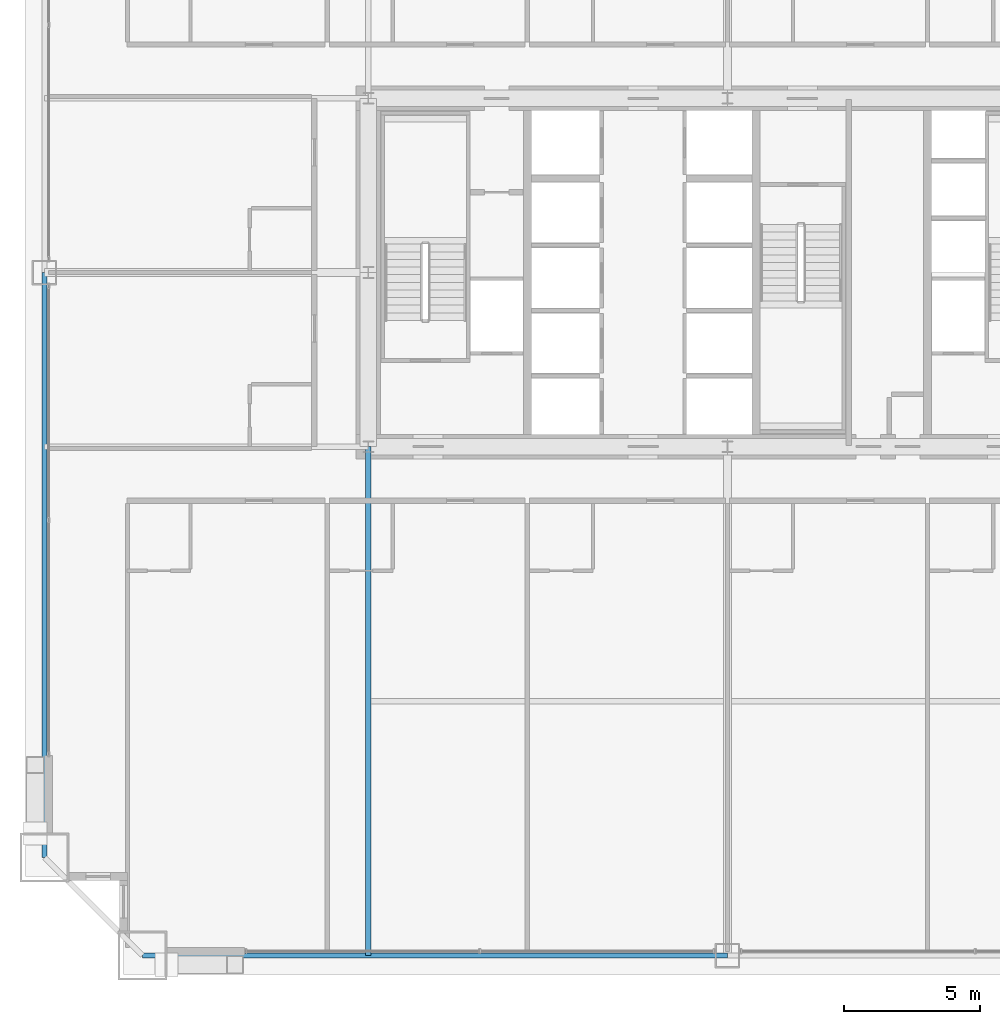
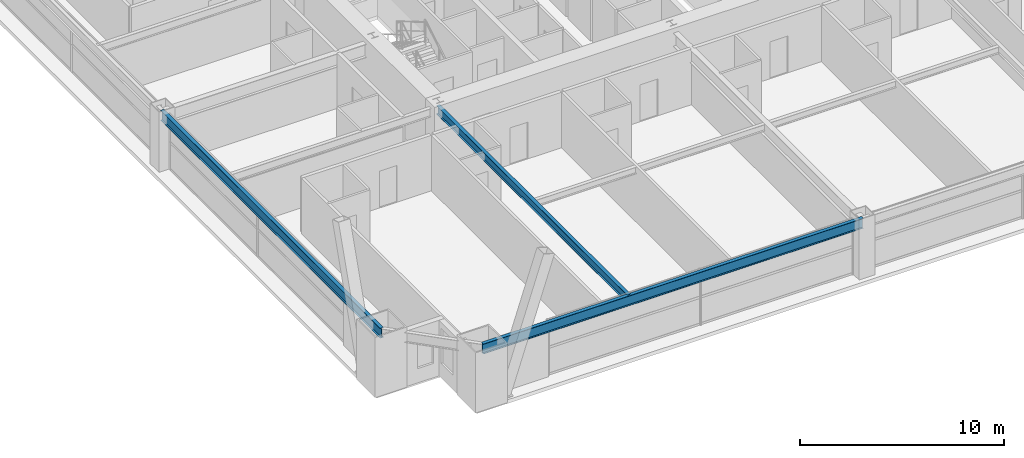
# One storey, part 4 of 43: 3 beams.
"""IFC4 building model written with IfcOpenShell, lengths in metres."""

from ifc_helpers import new_model, si_unit, direction, frame, origin, origin_2d, place, context, subcontext, project, spatial, i_section, extrude, source, transform, mapped, material, material_profile, profile_set, type_object, element, save


model = new_model("IFC4")

# Units and contexts
model_context = context("Model", 3, precision=1e-05, world=origin(), true_north=direction((0.0, 1.0)))
body_context = subcontext(model_context, "Body", "Model", "MODEL_VIEW")
ifc_project = project(units=[si_unit("LENGTHUNIT", "METRE"), si_unit("AREAUNIT", "SQUARE_METRE"), si_unit("VOLUMEUNIT", "CUBIC_METRE"), si_unit("PLANEANGLEUNIT", "RADIAN"), si_unit("MASSUNIT", "GRAM", prefix="KILO"), si_unit("THERMODYNAMICTEMPERATUREUNIT", "KELVIN"), si_unit("POWERUNIT", "WATT")], contexts=[model_context])

# Site, building, storey
site_placement = place(None, origin())
site = spatial("IfcSite", under=ifc_project, at=site_placement, CompositionType="ELEMENT")
building_placement = place(site_placement, origin())
building = spatial("IfcBuilding", under=site, at=building_placement, Name="Yuzanri Waterfront Tower", CompositionType="ELEMENT")
storey_placement = place(building_placement, frame((0.0, 0.0, 37.800048828125)))
storey = spatial("IfcBuildingStorey", under=building, at=storey_placement, Name="L09", CompositionType="ELEMENT", Elevation=37.800048828125)

# Beams
ifc_material_1 = material(Name="Steel Q355B", Category="steel")
ifc_material_profile_1 = material_profile(ifc_material_1, i_section(OverallWidth=0.199951171875, OverallDepth=0.60009765625, WebThickness=0.010986328125, FlangeThickness=0.01708984375, at=origin_2d()), Name="HN 600x200x11x17")
ifc_profile_set_1 = profile_set([ifc_material_profile_1], Name="Steel Q355B")
beam_type_1 = type_object("IfcBeamType", Name="Perimeter Spandrel Q355B HN 600x200", PredefinedType="SPANDREL", material=ifc_profile_set_1)
shared_shape_1 = source(origin(), body_context, "Body", "SweptSolid", [
    extrude(i_section(OverallWidth=0.199951171875, OverallDepth=0.60009765625, WebThickness=0.010986328125, FlangeThickness=0.01708984375, at=origin_2d()), origin(), (0.0, 0.0, 1.0), 21.5),
])
for number, where, z_axis, x_axis, name in (
    (1, (15.5, 0.699951171875, 3.02001953125), (1.0, 0.0, 0.0), (0.0, 1.0, 0.0), "L09 Perimeter Spandrel S1-S2"),
    (2, (11.89990234375, 25.800048828125, 3.02001953125), (0.0, -1.0, 0.0), (1.0, 0.0, 0.0), "L09 Perimeter Spandrel W2-W1"),
):
    element("IfcBeam", number, at=place(storey_placement, frame(where, z_axis=z_axis, x_axis=x_axis)), inside=storey, type_object=beam_type_1, Name=name, PredefinedType="SPANDREL", context=body_context, shape_type="MappedRepresentation", body=[
        mapped(shared_shape_1, transform((0.0, 0.0, 0.0), scale=1.0)),
    ])
ifc_material_2 = material(Name="Steel Q355B", Category="steel")
ifc_material_profile_2 = material_profile(ifc_material_2, i_section(OverallWidth=0.199951171875, OverallDepth=0.5, WebThickness=0.010009765625, FlangeThickness=0.01611328125, at=origin_2d()), Name="HN 500x200x10x16")
ifc_profile_set_2 = profile_set([ifc_material_profile_2], Name="Steel Q355B")
beam_type_2 = type_object("IfcBeamType", Name="Secondary Floor Beam Q355B HN 500x200", PredefinedType="BEAM", material=ifc_profile_set_2)
shared_shape_2 = source(origin(), body_context, "Body", "SweptSolid", [
    extrude(i_section(OverallWidth=0.199951171875, OverallDepth=0.5, WebThickness=0.010009765625, FlangeThickness=0.01611328125, at=origin_2d()), origin(), (0.0, 0.0, 1.0), 18.699951171875),
])
beam_placement = place(storey_placement, frame((23.800048828125, 19.39990234375, 3.070068359375), z_axis=(0.0, -1.0, 0.0), x_axis=(1.0, 0.0, 0.0)))
element("IfcBeam", 3, at=beam_placement, inside=storey, type_object=beam_type_2, Name="L09 South-West Core Line Beam", PredefinedType="BEAM", context=body_context, shape_type="MappedRepresentation", body=[
    mapped(shared_shape_2, transform((0.0, 0.0, 0.0), scale=1.0)),
])

save(model, "model.ifc")
